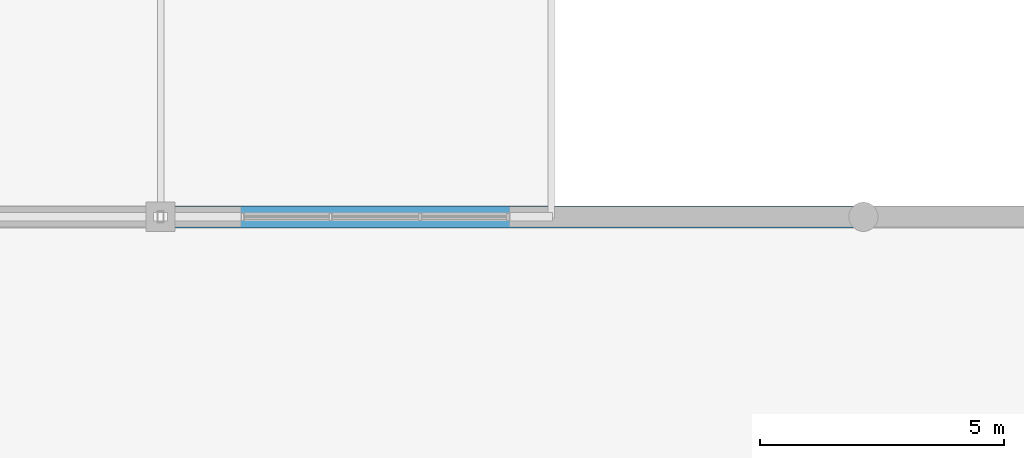
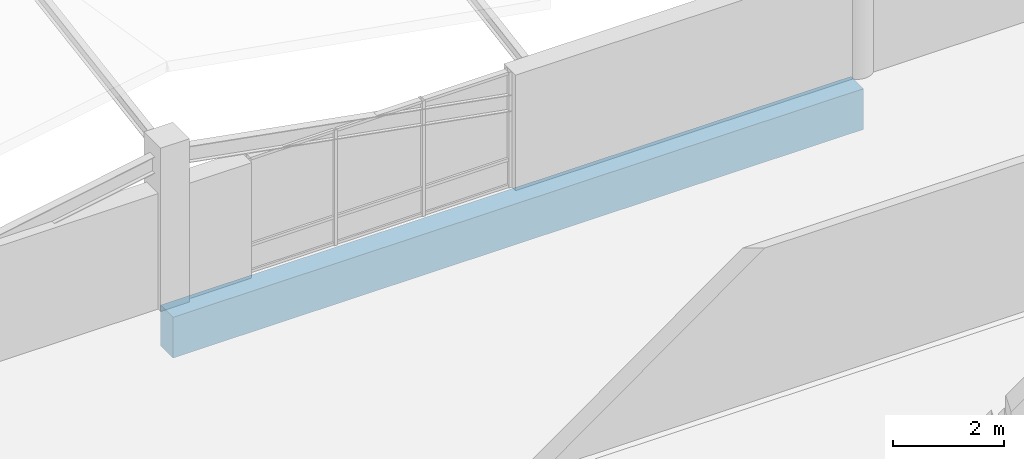
# One storey, part 86 of 189: 1 beam.
"""IFC4 building model written with IfcOpenShell, lengths in metres."""

from ifc_helpers import new_model, si_unit, direction, frame, origin, origin_2d, place, context, subcontext, project, spatial, rectangle, extrude, material, material_profile, profile_set, type_object, element, save


model = new_model("IFC4")

# Units and contexts
model_context = context("Model", 3, precision=1e-05, world=origin(), true_north=direction((0.0, 1.0)))
body_context = subcontext(model_context, "Body", "Model", "MODEL_VIEW")
ifc_project = project(units=[si_unit("LENGTHUNIT", "METRE"), si_unit("AREAUNIT", "SQUARE_METRE"), si_unit("VOLUMEUNIT", "CUBIC_METRE"), si_unit("PLANEANGLEUNIT", "RADIAN"), si_unit("MASSUNIT", "GRAM", prefix="KILO")], contexts=[model_context])

# Site, building, storey
site_placement = place(None, origin())
site = spatial("IfcSite", under=ifc_project, at=site_placement, CompositionType="ELEMENT")
building_placement = place(site_placement, origin())
building = spatial("IfcBuilding", under=site, at=building_placement, Name="Zavelmont Quarter", CompositionType="ELEMENT")
storey_placement = place(building_placement, frame((0.0, 0.0, 4.39990234375)))
storey = spatial("IfcBuildingStorey", under=building, at=storey_placement, Name="L01", CompositionType="ELEMENT", Elevation=4.39990234375)

# Beam
ifc_material = material(Name="Concrete C40/50", Category="concrete")
ifc_material_profile = material_profile(ifc_material, rectangle(XDim=0.449951171875, YDim=0.89990234375, at=origin_2d()), Name="RC450X900")
ifc_profile_set = profile_set([ifc_material_profile], Name="Concrete C40/50")
beam_type = type_object("IfcBeamType", Name="BM06", PredefinedType="BEAM", material=ifc_profile_set)
beam_placement = place(storey_placement, frame((84.0, 86.0, -0.72998046875), z_axis=(1.0, 0.0, 0.0), x_axis=(0.0, 1.0, 0.0)))
element("IfcBeam", 1, at=beam_placement, inside=storey, type_object=beam_type, Name="L01 beam BM06 13/N to 15/N", PredefinedType="BEAM", context=body_context, shape_type="SweptSolid", body=[
    extrude(rectangle(XDim=0.449951171875, YDim=0.89990234375, at=origin_2d()), origin(), (0.0, 0.0, 1.0), 14.39990234375),
])

save(model, "model.ifc")
